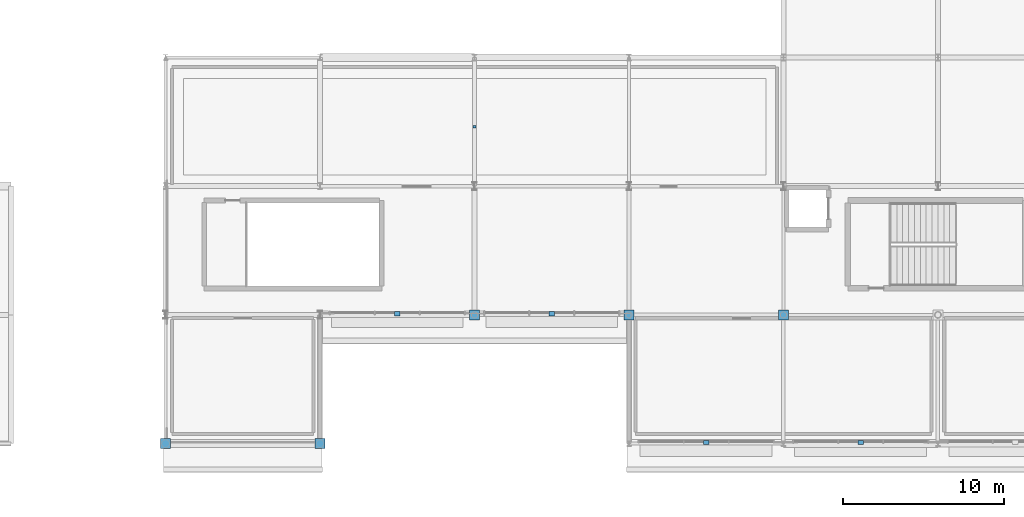
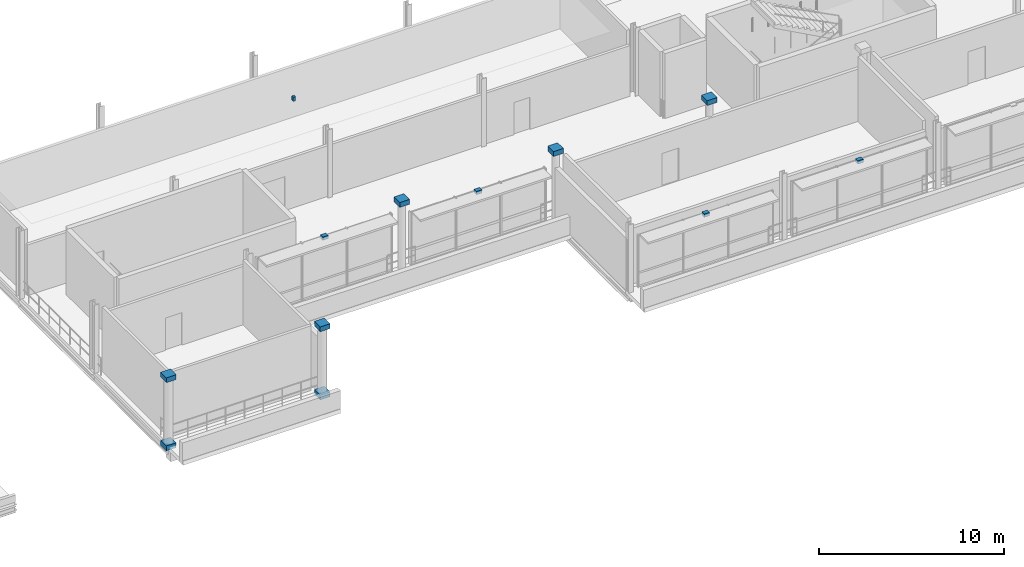
# One storey, part 168 of 193: 12 discrete accessories.
"""IFC4 building model written with IfcOpenShell, lengths in metres."""

from ifc_helpers import new_model, si_unit, direction, frame, origin, origin_2d, place, context, subcontext, project, spatial, rectangle, extrude, material, type_object, element, save


model = new_model("IFC4")

# Units and contexts
model_context = context("Model", 3, precision=1e-05, world=origin(), true_north=direction((0.0, 1.0)))
body_context = subcontext(model_context, "Body", "Model", "MODEL_VIEW")
ifc_project = project(units=[si_unit("LENGTHUNIT", "METRE"), si_unit("AREAUNIT", "SQUARE_METRE"), si_unit("VOLUMEUNIT", "CUBIC_METRE"), si_unit("PLANEANGLEUNIT", "RADIAN"), si_unit("MASSUNIT", "GRAM", prefix="KILO")], contexts=[model_context])

# Site, building, storey
site_placement = place(None, origin())
site = spatial("IfcSite", under=ifc_project, at=site_placement, CompositionType="ELEMENT")
building_placement = place(site_placement, origin())
building = spatial("IfcBuilding", under=site, at=building_placement, Name="Danafjord Basin Convention Centre", CompositionType="ELEMENT")
storey_placement = place(building_placement, frame((0.0, 0.0, 11.39990234375)))
storey = spatial("IfcBuildingStorey", under=building, at=storey_placement, Name="L02", CompositionType="ELEMENT", Elevation=11.39990234375)

# Discrete accessories
ifc_material_1 = material(Name="Stainless steel EN 1.4404", Category="steel")
discrete_accessory_type_1 = type_object("IfcDiscreteAccessoryType", Name="ACC-FIN-BRK", PredefinedType="BRACKET", material=ifc_material_1)
for number, where, z_axis, x_axis, name in (
    (1, (177.60009765625, 0.070068359375, 3.2861328125), (0.0, 0.0, 1.0), (1.0, 0.0, 0.0), "Sunshade tie-back bracket"),
    (2, (187.199951171875, 0.070068359375, 3.43603515625), (0.0, 0.0, 1.0), (1.0, 0.0, 0.0), "Sunshade tie-back bracket"),
    (3, (158.39990234375, 8.070068359375, 3.63623046875), (0.0, 0.0, 1.0), (1.0, 0.0, 0.0), "Sunshade tie-back bracket"),
    (4, (168.0, 8.070068359375, 3.2861328125), (0.0, 0.0, 1.0), (1.0, 0.0, 0.0), "Sunshade tie-back bracket"),
):
    element("IfcDiscreteAccessory", number, at=place(storey_placement, frame(where, z_axis=z_axis, x_axis=x_axis)), inside=storey, type_object=discrete_accessory_type_1, Name=name, PredefinedType="BRACKET", context=body_context, shape_type="SweptSolid", body=[
        extrude(rectangle(XDim=0.340087890625, YDim=0.260009765625, at=origin_2d()), origin(), (0.0, 0.0, 1.0), 0.219970703125),
    ])
discrete_accessory_placement = place(storey_placement, frame((163.199951171875, 19.699951171875, 4.01025390625), z_axis=(0.0, 0.0, 1.0), x_axis=(1.0, 0.0, 0.0)))
element("IfcDiscreteAccessory", 5, at=discrete_accessory_placement, inside=storey, type_object=discrete_accessory_type_1, Name="Suspended ceiling steel hanger assembly", PredefinedType="BRACKET", context=body_context, shape_type="SweptSolid", body=[
    extrude(rectangle(XDim=0.159912109375, YDim=0.159912109375, at=origin_2d()), origin(), (0.0, 0.0, 1.0), 0.285888671875),
])
ifc_material_2 = material(Name="Steel S355", Category="steel")
discrete_accessory_type_2 = type_object("IfcDiscreteAccessoryType", Name="ACC-SF-HUB", PredefinedType="BRACKET", material=ifc_material_2)
for number, where, z_axis, x_axis, name in (
    (6, (144.0, 0.0, -0.16015625), (0.0, 0.0, 1.0), (1.0, 0.0, 0.0), "Tubular steel column transition collar"),
    (7, (144.0, 0.0, 4.33984375), (0.0, 0.0, 1.0), (1.0, 0.0, 0.0), "Tubular steel column top cap plate"),
    (8, (153.60009765625, 0.0, -0.16015625), (0.0, 0.0, 1.0), (1.0, 0.0, 0.0), "Tubular steel column transition collar"),
    (9, (153.60009765625, 0.0, 4.33984375), (0.0, 0.0, 1.0), (1.0, 0.0, 0.0), "Tubular steel column top cap plate"),
    (10, (163.199951171875, 8.0, 4.33984375), (0.0, 0.0, 1.0), (1.0, 0.0, 0.0), "Tubular steel column top cap plate"),
    (11, (172.800048828125, 8.0, 4.33984375), (0.0, 0.0, 1.0), (1.0, 0.0, 0.0), "Tubular steel column top cap plate"),
    (12, (182.39990234375, 8.0, 4.33984375), (0.0, 0.0, 1.0), (1.0, 0.0, 0.0), "Tubular steel column top cap plate"),
):
    element("IfcDiscreteAccessory", number, at=place(storey_placement, frame(where, z_axis=z_axis, x_axis=x_axis)), inside=storey, type_object=discrete_accessory_type_2, Name=name, PredefinedType="BRACKET", context=body_context, shape_type="SweptSolid", body=[
        extrude(rectangle(XDim=0.6201171875, YDim=0.6201171875, at=origin_2d()), origin(), (0.0, 0.0, 1.0), 0.320068359375),
    ])

save(model, "model.ifc")
